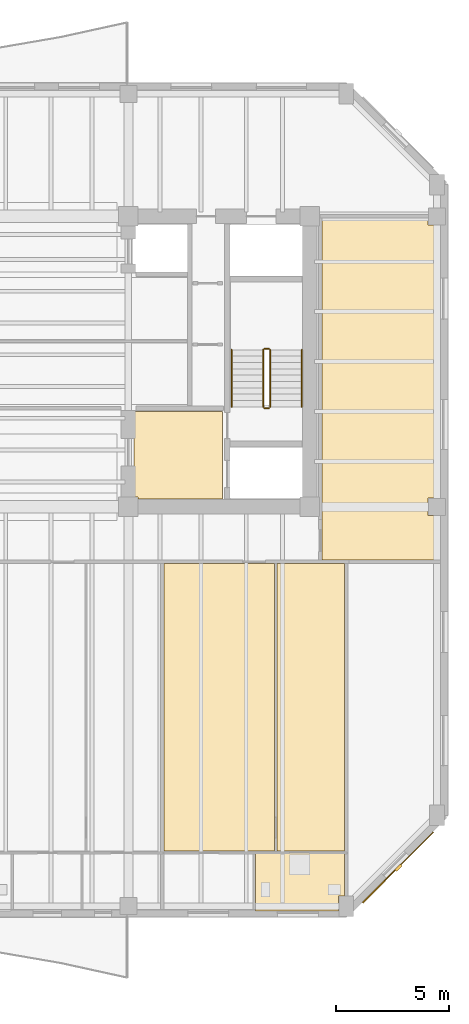
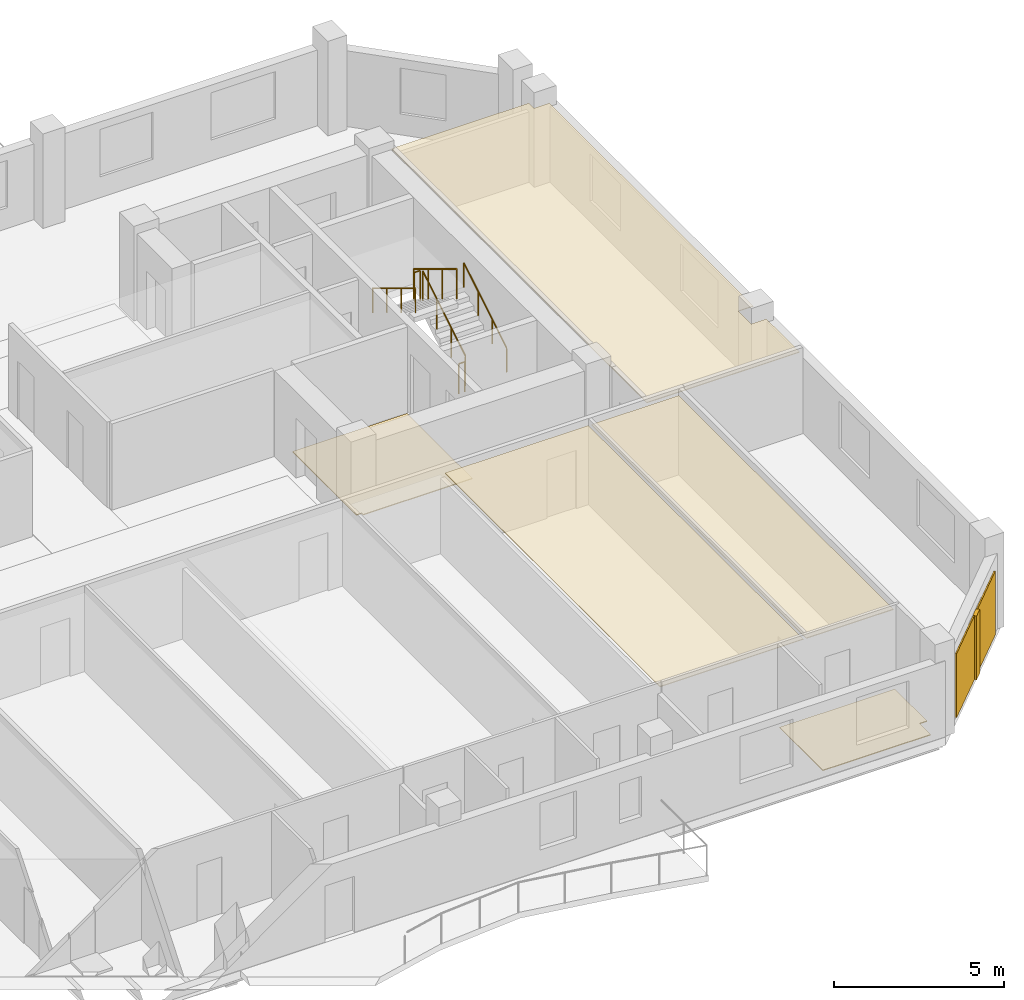
# One storey, part 9 of 11: 6 coverings, 6 railings, 1 shading device.
"""IFC4 building model written with IfcOpenShell, lengths in metres."""

from ifc_helpers import new_model, si_unit, direction, frame, origin, origin_2d, place, context, subcontext, project, spatial, polyline, rectangle, circle, outline, extrude, material, layer, layer_set, type_object, element, save


model = new_model("IFC4")

# Units and contexts
model_context = context("Model", 3, precision=1e-05, world=origin(), true_north=direction((0.0, 1.0)))
body_context = subcontext(model_context, "Body", "Model", "MODEL_VIEW")
ifc_project = project(units=[si_unit("LENGTHUNIT", "METRE"), si_unit("AREAUNIT", "SQUARE_METRE"), si_unit("VOLUMEUNIT", "CUBIC_METRE"), si_unit("PLANEANGLEUNIT", "RADIAN"), si_unit("MASSUNIT", "GRAM", prefix="KILO")], contexts=[model_context])

# Site, building, storey
site_placement = place(None, origin())
site = spatial("IfcSite", under=ifc_project, at=site_placement, CompositionType="ELEMENT")
building_placement = place(site_placement, origin())
building = spatial("IfcBuilding", under=site, at=building_placement, Name="Kranthara Brick Stack", CompositionType="ELEMENT")
storey_placement = place(building_placement, frame((0.0, 0.0, 221.10009765625)))
storey = spatial("IfcBuildingStorey", under=building, at=storey_placement, Name="L57", CompositionType="ELEMENT", Elevation=221.10009765625)

# Coverings
ifc_material_1 = material(Name="Perforated mineral-fibre acoustic ceiling tile", Category="other")
ifc_layer_1 = layer(ifc_material_1, 0.02490234375)
ifc_layer_set_1 = layer_set([ifc_layer_1], Name="Perforated mineral-fibre acoustic ceiling tile")
covering_type_1 = type_object("IfcCoveringType", Name="COV-CEIL-ACOUSTIC", PredefinedType="CEILING", material=ifc_layer_set_1)
covering_1_placement = place(storey_placement, frame((0.0, 0.0, 2.829833984375)))
element("IfcCovering", 1, at=covering_1_placement, inside=storey, type_object=covering_type_1, Name="L57 Unit L57D Studio Apartment Living Acoustic Ceiling", PredefinedType="CEILING", context=body_context, shape_type="SweptSolid", body=[
    extrude(outline(polyline([(41.64990234375, 5.6298828125), (41.64990234375, 18.300048828125), (36.77294921875, 18.300048828125), (36.77294921875, 5.6298828125), (41.64990234375, 5.6298828125)])), origin(), (0.0, 0.0, 1.0), 0.025146484375),
])
covering_2_placement = place(storey_placement, frame((0.0, 0.0, 2.829833984375)))
element("IfcCovering", 2, at=covering_2_placement, inside=storey, type_object=covering_type_1, Name="L57 Unit L57D Private Study Room Acoustic Ceiling", PredefinedType="CEILING", context=body_context, shape_type="SweptSolid", body=[
    extrude(outline(polyline([(44.719970703125, 5.6298828125), (44.719970703125, 18.300048828125), (41.75, 18.300048828125), (41.75, 5.6298828125), (44.719970703125, 5.6298828125)])), origin(), (0.0, 0.0, 1.0), 0.025146484375),
])
covering_3_placement = place(storey_placement, frame((0.0, 0.0, 2.829833984375)))
element("IfcCovering", 3, at=covering_3_placement, inside=storey, type_object=covering_type_1, Name="L57 L57 East Panoramic Sky Conservatory Acoustic Ceiling", PredefinedType="CEILING", context=body_context, shape_type="SweptSolid", body=[
    extrude(outline(polyline([(43.72998046875, 18.4599609375), (43.72998046875, 33.52001953125), (48.4150390625, 33.52001953125), (48.4150390625, 33.215087890625), (48.929931640625, 33.215087890625), (48.929931640625, 21.18505859375), (48.4150390625, 21.18505859375), (48.4150390625, 20.4150390625), (48.929931640625, 20.4150390625), (48.929931640625, 18.4599609375), (43.72998046875, 18.4599609375)])), origin(), (0.0, 0.0, 1.0), 0.025146484375),
])
ifc_material_2 = material(Name="Warm buff kiln-fired brick slip rainscreen", Category="masonry")
ifc_layer_2 = layer(ifc_material_2, 0.044921875)
ifc_layer_set_2 = layer_set([ifc_layer_2], Name="Warm buff kiln-fired brick slip rainscreen")
covering_type_2 = type_object("IfcCoveringType", Name="COV-CLAD-BRICK", PredefinedType="CLADDING", material=ifc_layer_set_2)
covering_4_placement = place(storey_placement, frame((47.08740234375, 4.91259765625, 0.0498046875), z_axis=(0.0, 0.0, 1.0), x_axis=(-0.707106781187, -0.707106781187, 0.0)))
element("IfcCovering", 4, at=covering_4_placement, inside=storey, type_object=covering_type_2, Name="L57 Chamfer Brick Rainscreen Cladding SE", PredefinedType="CLADDING", context=body_context, shape_type="SweptSolid", body=[
    extrude(rectangle(XDim=4.39892578125, YDim=0.044921875, at=origin_2d()), origin(), (0.0, 0.0, 1.0), 2.300048828125),
])
ifc_material_3 = material(Name="Honed terrazzo and porcelain floor finish", Category="stone")
ifc_layer_3 = layer(ifc_material_3, 0.030029296875)
ifc_layer_set_3 = layer_set([ifc_layer_3], Name="Honed terrazzo and porcelain floor finish")
covering_type_3 = type_object("IfcCoveringType", Name="COV-FLOR-STONE", PredefinedType="FLOORING", material=ifc_layer_set_3)
covering_5_placement = place(storey_placement, origin())
element("IfcCovering", 5, at=covering_5_placement, inside=storey, type_object=covering_type_3, Name="L57 Lift Lobby Stone Flooring", PredefinedType="FLOORING", context=body_context, shape_type="SweptSolid", body=[
    extrude(outline(polyline([(35.449951171875, 25.0), (39.35009765625, 25.0), (39.35009765625, 21.14990234375), (35.635009765625, 21.14990234375), (35.635009765625, 21.235107421875), (35.449951171875, 21.235107421875), (35.449951171875, 25.0)])), origin(), (0.0, 0.0, 1.0), 0.02978515625),
])
covering_6_placement = place(storey_placement, origin())
element("IfcCovering", 6, at=covering_6_placement, inside=storey, type_object=covering_type_3, Name="L57 Wet Room Porcelain Flooring", PredefinedType="FLOORING", context=body_context, shape_type="SweptSolid", body=[
    extrude(outline(polyline([(40.7958984375, 3.0), (40.7958984375, 5.550048828125), (44.719970703125, 5.550048828125), (44.719970703125, 3.659912109375), (44.465087890625, 3.659912109375), (44.465087890625, 3.0), (40.7958984375, 3.0)])), origin(), (0.0, 0.0, 1.0), 0.02978515625),
])

# Railings
ifc_material_4 = material(Name="Painted galvanized steel stair guardrail", Category="steel")
railing_type_1 = type_object("IfcRailingType", Name="RL-STAIR-GUARD-1100", PredefinedType="GUARDRAIL", material=ifc_material_4)
railing_1_placement = place(storey_placement, frame((41.449951171875, 25.199951171875, 0.169921875)))
element("IfcRailing", 7, at=railing_1_placement, inside=storey, type_object=railing_type_1, Name="L57 ST02 stair guard 1", PredefinedType="GUARDRAIL", context=body_context, shape_type="SweptSolid", body=[
    extrude(circle(Radius=0.02392578125, at=origin_2d()), frame((0.0, 0.0, 1.076171875), z_axis=(0.0, 0.85478489116, 0.518982456201), x_axis=(-1.0, 0.0, 0.0)), (0.0, 0.0, 1.0), 2.9482421875),
    extrude(circle(Radius=0.02099609375, at=origin_2d()), origin(), (0.0, 0.0, 1.0), 1.052001953125),
    extrude(circle(Radius=0.02099609375, at=origin_2d()), frame((0.0, 0.840087890625, 0.510009765625)), (0.0, 0.0, 1.0), 1.052001953125),
    extrude(circle(Radius=0.02099609375, at=origin_2d()), frame((0.0, 1.679931640625, 1.02001953125)), (0.0, 0.0, 1.0), 1.052001953125),
    extrude(circle(Radius=0.02099609375, at=origin_2d()), frame((0.0, 2.52001953125, 1.530029296875)), (0.0, 0.0, 1.0), 1.052001953125),
])
railing_2_placement = place(storey_placement, frame((41.39990234375, 27.77001953125, 1.699951171875)))
element("IfcRailing", 8, at=railing_2_placement, inside=storey, type_object=railing_type_1, Name="L57 ST02 stair guard 2", PredefinedType="GUARDRAIL", context=body_context, shape_type="SweptSolid", body=[
    extrude(circle(Radius=0.02392578125, at=origin_2d()), frame((0.0, 0.0, 1.076171875), z_axis=(-1.0, 0.0, 0.0), x_axis=(0.0, -1.0, 0.0)), (0.0, 0.0, 1.0), 0.199951171875),
    extrude(circle(Radius=0.02099609375, at=origin_2d()), origin(), (0.0, 0.0, 1.0), 1.052001953125),
    extrude(circle(Radius=0.02099609375, at=origin_2d()), frame((-0.199951171875, 0.0, 0.0)), (0.0, 0.0, 1.0), 1.052001953125),
])
railing_3_placement = place(storey_placement, frame((41.14990234375, 27.719970703125, 1.869873046875)))
element("IfcRailing", 9, at=railing_3_placement, inside=storey, type_object=railing_type_1, Name="L57 ST02 stair guard 3", PredefinedType="GUARDRAIL", context=body_context, shape_type="SweptSolid", body=[
    extrude(circle(Radius=0.02392578125, at=origin_2d()), frame((0.0, 0.0, 1.076171875), z_axis=(0.0, -0.85478489116, 0.518982456201), x_axis=(1.0, 0.0, 0.0)), (0.0, 0.0, 1.0), 2.9482421875),
    extrude(circle(Radius=0.02099609375, at=origin_2d()), origin(), (0.0, 0.0, 1.0), 1.052001953125),
    extrude(circle(Radius=0.02099609375, at=origin_2d()), frame((0.0, -0.840087890625, 0.510009765625)), (0.0, 0.0, 1.0), 1.052001953125),
    extrude(circle(Radius=0.02099609375, at=origin_2d()), frame((0.0, -1.679931640625, 1.02001953125)), (0.0, 0.0, 1.0), 1.052001953125),
    extrude(circle(Radius=0.02099609375, at=origin_2d()), frame((0.0, -2.52001953125, 1.530029296875)), (0.0, 0.0, 1.0), 1.052001953125),
])
railing_4_placement = place(storey_placement, frame((41.39990234375, 25.14990234375, 0.0)))
element("IfcRailing", 10, at=railing_4_placement, inside=storey, type_object=railing_type_1, Name="L57 ST02 stair guard 4", PredefinedType="GUARDRAIL", context=body_context, shape_type="SweptSolid", body=[
    extrude(circle(Radius=0.02392578125, at=origin_2d()), frame((0.0, 0.0, 1.076171875), z_axis=(-1.0, 0.0, 0.0), x_axis=(0.0, -1.0, 0.0)), (0.0, 0.0, 1.0), 0.199951171875),
    extrude(circle(Radius=0.02099609375, at=origin_2d()), origin(), (0.0, 0.0, 1.0), 1.052001953125),
    extrude(circle(Radius=0.02099609375, at=origin_2d()), frame((-0.199951171875, 0.0, 0.0)), (0.0, 0.0, 1.0), 1.052001953125),
])
ifc_material_5 = material(Name="Brushed stainless steel tubular handrail", Category="steel")
railing_type_2 = type_object("IfcRailingType", Name="RL-STAIR-HAND-900", PredefinedType="HANDRAIL", material=ifc_material_5)
railing_5_placement = place(storey_placement, frame((42.85009765625, 25.199951171875, 0.169921875)))
element("IfcRailing", 11, at=railing_5_placement, inside=storey, type_object=railing_type_2, Name="L57 ST02 stair handrail 1", PredefinedType="HANDRAIL", context=body_context, shape_type="SweptSolid", body=[
    extrude(circle(Radius=0.02392578125, at=origin_2d()), frame((0.0, 0.0, 0.8759765625), z_axis=(0.0, 0.85478489116, 0.518982456201), x_axis=(-1.0, 0.0, 0.0)), (0.0, 0.0, 1.0), 2.9482421875),
    extrude(circle(Radius=0.02099609375, at=origin_2d()), origin(), (0.0, 0.0, 1.0), 0.851806640625),
    extrude(circle(Radius=0.02099609375, at=origin_2d()), frame((0.0, 0.840087890625, 0.510009765625)), (0.0, 0.0, 1.0), 0.851806640625),
    extrude(circle(Radius=0.02099609375, at=origin_2d()), frame((0.0, 1.679931640625, 1.02001953125)), (0.0, 0.0, 1.0), 0.851806640625),
    extrude(circle(Radius=0.02099609375, at=origin_2d()), frame((0.0, 2.52001953125, 1.530029296875)), (0.0, 0.0, 1.0), 0.851806640625),
])
railing_6_placement = place(storey_placement, frame((39.75, 27.719970703125, 1.869873046875)))
element("IfcRailing", 12, at=railing_6_placement, inside=storey, type_object=railing_type_2, Name="L57 ST02 stair handrail 2", PredefinedType="HANDRAIL", context=body_context, shape_type="SweptSolid", body=[
    extrude(circle(Radius=0.02392578125, at=origin_2d()), frame((0.0, 0.0, 0.8759765625), z_axis=(0.0, -0.85478489116, 0.518982456201), x_axis=(1.0, 0.0, 0.0)), (0.0, 0.0, 1.0), 2.9482421875),
    extrude(circle(Radius=0.02099609375, at=origin_2d()), origin(), (0.0, 0.0, 1.0), 0.851806640625),
    extrude(circle(Radius=0.02099609375, at=origin_2d()), frame((0.0, -0.840087890625, 0.510009765625)), (0.0, 0.0, 1.0), 0.851806640625),
    extrude(circle(Radius=0.02099609375, at=origin_2d()), frame((0.0, -1.679931640625, 1.02001953125)), (0.0, 0.0, 1.0), 0.851806640625),
    extrude(circle(Radius=0.02099609375, at=origin_2d()), frame((0.0, -2.52001953125, 1.530029296875)), (0.0, 0.0, 1.0), 0.851806640625),
])

# Shading device
ifc_material_6 = material(Name="Kiln-fired terracotta aerodynamic wind fin", Category="masonry")
shading_device_type = type_object("IfcShadingDeviceType", Name="SHD-BAFFLE-CORNER", PredefinedType="SHUTTER", material=ifc_material_6)
shading_device_placement = place(storey_placement, frame((47.1083984375, 4.8916015625, 0.0498046875), z_axis=(0.0, 0.0, 1.0), x_axis=(-0.707106781187, -0.707106781187, 0.0)))
element("IfcShadingDevice", 13, at=shading_device_placement, inside=storey, type_object=shading_device_type, Name="L57 Chamfer Wind-Baffle Fin SE", PredefinedType="SHUTTER", context=body_context, shape_type="SweptSolid", body=[
    extrude(rectangle(XDim=0.35009765625, YDim=0.1201171875, at=origin_2d()), origin(), (0.0, 0.0, 1.0), 2.300048828125),
])

save(model, "model.ifc")
